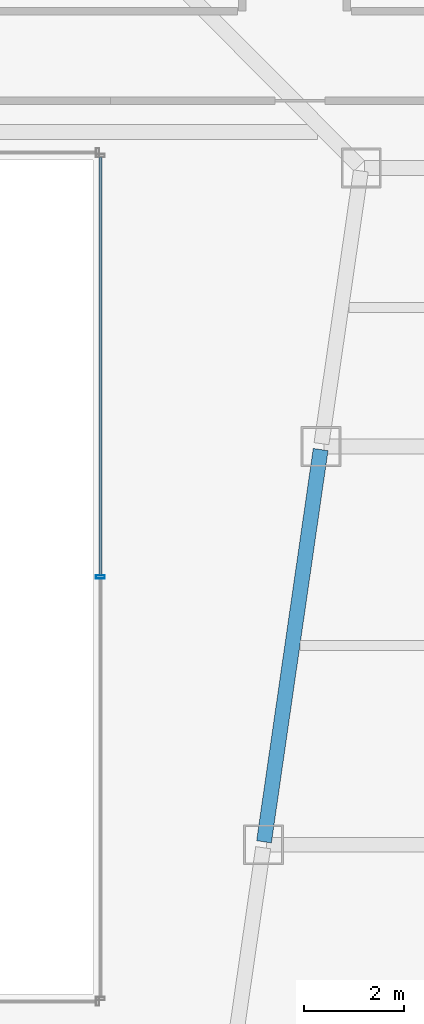
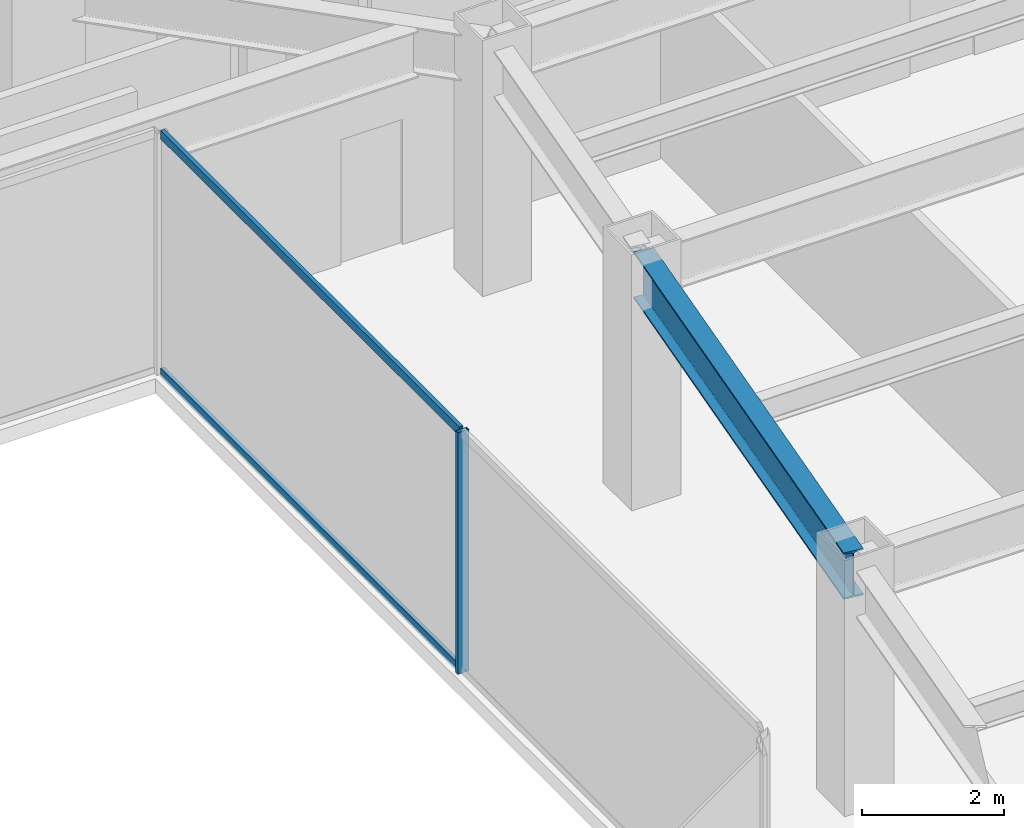
# One storey, part 20 of 47: 3 members, 1 beam, 1 element without a shape of its own.
"""IFC4 building model written with IfcOpenShell, lengths in metres."""

from ifc_helpers import new_model, si_unit, direction, frame, origin, origin_2d, place, context, subcontext, project, spatial, hollow_rectangle, i_section, extrude, material, material_profile, profile_set, type_object, element, aggregate, save


model = new_model("IFC4")

# Units and contexts
model_context = context("Model", 3, precision=1e-05, world=origin(), true_north=direction((0.0, 1.0)))
body_context = subcontext(model_context, "Body", "Model", "MODEL_VIEW")
ifc_project = project(units=[si_unit("LENGTHUNIT", "METRE"), si_unit("AREAUNIT", "SQUARE_METRE"), si_unit("VOLUMEUNIT", "CUBIC_METRE"), si_unit("PLANEANGLEUNIT", "RADIAN"), si_unit("MASSUNIT", "GRAM", prefix="KILO")], contexts=[model_context])

# Site, building, storey
site_placement = place(None, origin())
site = spatial("IfcSite", under=ifc_project, at=site_placement, CompositionType="ELEMENT")
building_placement = place(site_placement, origin())
building = spatial("IfcBuilding", under=site, at=building_placement, Name="Saevonmaru Cultural Tower", CompositionType="ELEMENT")
storey_placement = place(building_placement, frame((0.0, 0.0, 78.0)))
storey = spatial("IfcBuildingStorey", under=building, at=storey_placement, Name="L16", CompositionType="ELEMENT", Elevation=78.0)

# Beam
ifc_material_1 = material(Name="Steel SM420", Category="steel")
ifc_material_profile_1 = material_profile(ifc_material_1, i_section(OverallWidth=0.300048828125, OverallDepth=0.800048828125, WebThickness=0.013916015625, FlangeThickness=0.02587890625, FilletRadius=0.028076171875, at=origin_2d()), Name="H-800x300x14x26")
ifc_profile_set_1 = profile_set([ifc_material_profile_1], Name="Steel SM420")
beam_type = type_object("IfcBeamType", Name="BM-G-H800", PredefinedType="BEAM", material=ifc_profile_set_1)
beam_placement = place(storey_placement, frame((39.236572265625, 24.059326171875, 3.75), z_axis=(0.142902032203, 0.989736838353, 0.0), x_axis=(-0.989736838353, 0.142902032203, 0.0)))
element("IfcBeam", 1, at=beam_placement, inside=storey, type_object=beam_type, Name="L16 East Atrium Girder 4", PredefinedType="BEAM", context=body_context, shape_type="SweptSolid", body=[
    extrude(i_section(OverallWidth=0.300048828125, OverallDepth=0.800048828125, WebThickness=0.013916015625, FlangeThickness=0.02587890625, FilletRadius=0.028076171875, at=origin_2d()), origin(), (0.0, 0.0, 1.0), 7.963134765625),
])

# Curtain wall, members
ifc_material_2 = material(Name="Satin Bronze Anodised Aluminium", Category="aluminium")
curtain_wall_type = type_object("IfcCurtainWallType", Name="CW-ATR-GLZ", PredefinedType="NOTDEFINED", material=ifc_material_2)
curtain_wall_placement = place(storey_placement, origin())
curtain_wall = element("IfcCurtainWall", 2, at=curtain_wall_placement, inside=storey, type_object=curtain_wall_type, Name="L16 Vertical Atrium Glazed Smoke Screen 2", PredefinedType="NOTDEFINED")
ifc_material_profile_2 = material_profile(ifc_material_2, hollow_rectangle(XDim=0.06494140625, YDim=0.179931640625, WallThickness=0.00390625, at=origin_2d()), Name="ALU-MULL-180x65x4")
ifc_profile_set_2 = profile_set([ifc_material_profile_2], Name="Satin Bronze Anodised Aluminium")
member_type_1 = type_object("IfcMemberType", Name="ML-CW-INT-180x65", PredefinedType="MULLION", material=ifc_profile_set_2)
member_1_placement = place(storey_placement, frame((35.949951171875, 29.3798828125, 0.0), z_axis=(0.0, 0.0, 1.0), x_axis=(0.0, 1.0, 0.0)))
member_1 = element("IfcMember", 3, at=member_1_placement, type_object=member_type_1, Name="CW-ATR-L16-2 mullion 2", PredefinedType="MULLION", context=body_context, shape_type="SweptSolid", body=[
    extrude(hollow_rectangle(XDim=0.06494140625, YDim=0.179931640625, WallThickness=0.00390625, at=origin_2d()), origin(), (0.0, 0.0, 1.0), 4.14990234375),
])
ifc_material_profile_3 = material_profile(ifc_material_2, hollow_rectangle(XDim=0.06494140625, YDim=0.14990234375, WallThickness=0.00390625, at=origin_2d()), Name="ALU-TRAN-150x65x4")
ifc_profile_set_3 = profile_set([ifc_material_profile_3], Name="Satin Bronze Anodised Aluminium")
member_type_2 = type_object("IfcMemberType", Name="TR-CW-INT-150x65", PredefinedType="USERDEFINED", material=ifc_profile_set_3)
member_2_placement = place(storey_placement, frame((35.949951171875, 29.41259765625, 0.032470703125), z_axis=(0.0, 1.0, 0.0), x_axis=(-1.0, 0.0, 0.0)))
member_2 = element("IfcMember", 4, at=member_2_placement, type_object=member_type_2, Name="CW-ATR-L16-2 transom 2.1", ObjectType="TRANSOM", PredefinedType="USERDEFINED", context=body_context, shape_type="SweptSolid", body=[
    extrude(hollow_rectangle(XDim=0.06494140625, YDim=0.14990234375, WallThickness=0.00390625, at=origin_2d()), origin(), (0.0, 0.0, 1.0), 8.40478515625),
])
member_3_placement = place(storey_placement, frame((35.949951171875, 29.41259765625, 4.117431640625), z_axis=(0.0, 1.0, 0.0), x_axis=(-1.0, 0.0, 0.0)))
member_3 = element("IfcMember", 5, at=member_3_placement, type_object=member_type_2, Name="CW-ATR-L16-2 transom 2.2", ObjectType="TRANSOM", PredefinedType="USERDEFINED", context=body_context, shape_type="SweptSolid", body=[
    extrude(hollow_rectangle(XDim=0.06494140625, YDim=0.14990234375, WallThickness=0.00390625, at=origin_2d()), origin(), (0.0, 0.0, 1.0), 8.40478515625),
])
aggregate(curtain_wall, [member_1, member_2, member_3])

save(model, "model.ifc")
